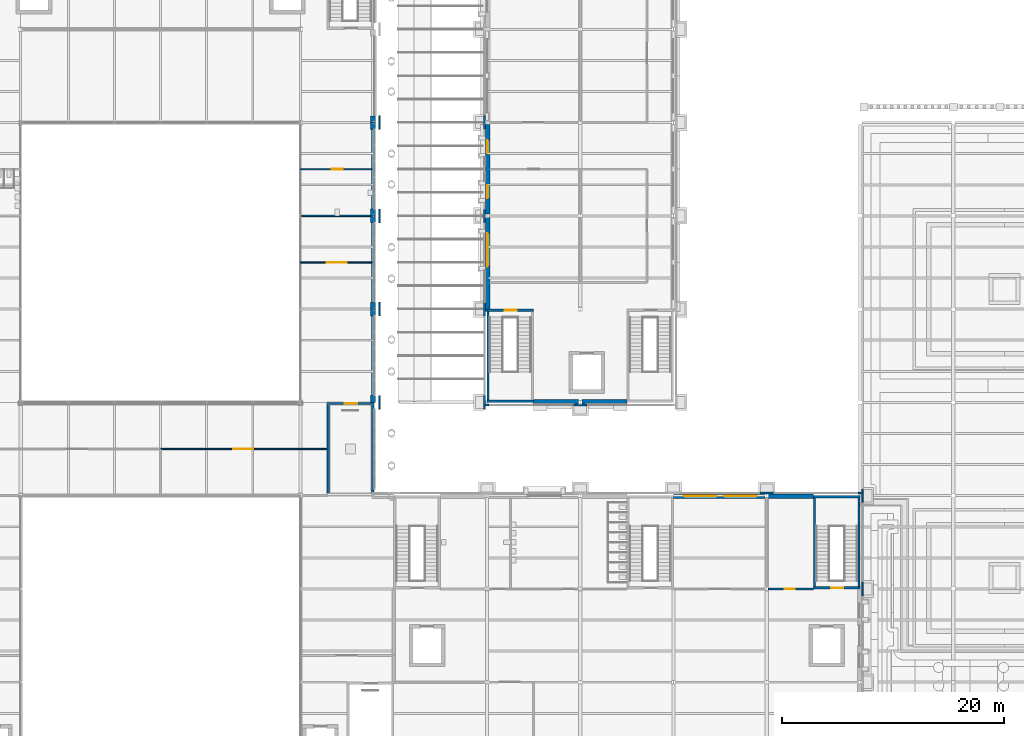
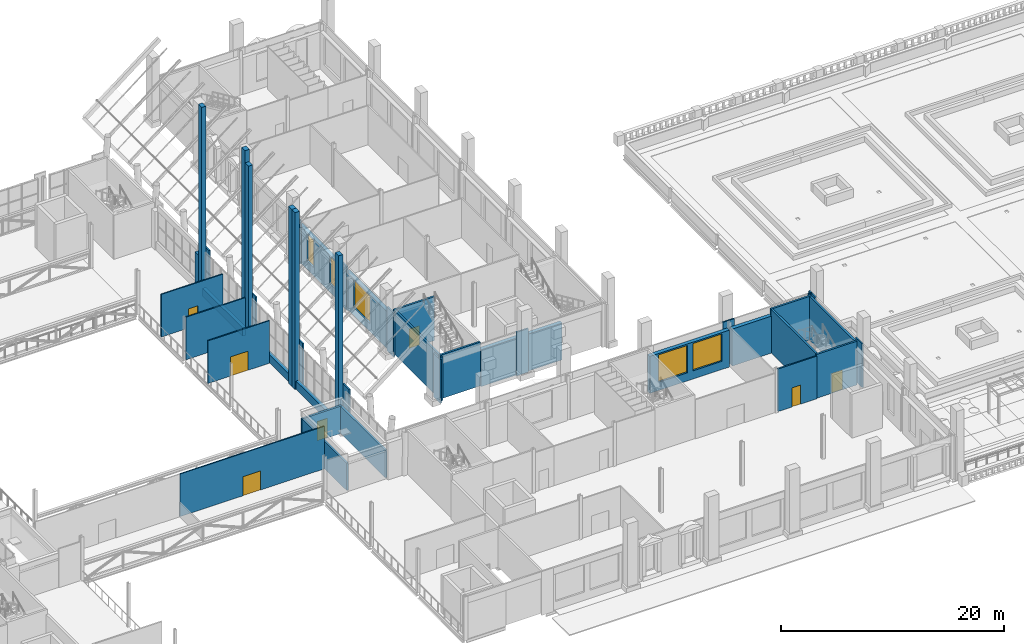
# One storey, part 53 of 76: 45 walls, 7 doors, 5 windows, 12 openings.
"""IFC4 building model written with IfcOpenShell, lengths in metres."""

from ifc_helpers import new_model, si_unit, direction, frame, frame_2d, origin, place, context, subcontext, project, spatial, rectangle, extrude, material, layer, layer_set, type_object, element, fill, save


model = new_model("IFC4")

# Units and contexts
model_context = context("Model", 3, precision=1e-05, world=origin(), true_north=direction((0.0, 1.0)))
body_context = subcontext(model_context, "Body", "Model", "MODEL_VIEW")
ifc_project = project(units=[si_unit("LENGTHUNIT", "METRE"), si_unit("AREAUNIT", "SQUARE_METRE"), si_unit("VOLUMEUNIT", "CUBIC_METRE"), si_unit("PLANEANGLEUNIT", "RADIAN"), si_unit("MASSUNIT", "GRAM", prefix="KILO")], contexts=[model_context])

# Site, building, storey
site_placement = place(None, origin())
site = spatial("IfcSite", under=ifc_project, at=site_placement, CompositionType="ELEMENT")
building_placement = place(site_placement, origin())
building = spatial("IfcBuilding", under=site, at=building_placement, Name="Sava Quay Ferry Terminal", CompositionType="ELEMENT")
storey_placement = place(building_placement, frame((0.0, 0.0, 6.0)))
storey = spatial("IfcBuildingStorey", under=building, at=storey_placement, Name="L01", CompositionType="ELEMENT", Elevation=6.0)

# Walls
ifc_material_1 = material(Name="Limestone Mutalj", Category="masonry")
ifc_layer_1 = layer(ifc_material_1, 0.35009765625)
ifc_layer_set_1 = layer_set([ifc_layer_1], Name="Limestone Mutalj")
wall_type_1 = type_object("IfcWallType", Name="Limestone kerb and parapet 350", PredefinedType="SOLIDWALL", material=ifc_layer_set_1)
wall_1_placement = place(storey_placement, frame((82.175048828125, 59.39990234375, 0.0), z_axis=(0.0, 0.0, 1.0), x_axis=(0.0, 1.0, 0.0)))
element("IfcWall", 1, at=wall_1_placement, inside=storey, type_object=wall_type_1, Name="External wall D", PredefinedType="SOLIDWALL", context=body_context, shape_type="SweptSolid", body=[
    extrude(rectangle(XDim=7.2001953125, YDim=0.35009765625, at=frame_2d((3.60009765625, 0.0))), origin(), (0.0, 0.0, 1.0), 0.89990234375),
])
for number, where, z_axis, x_axis, name in (
    (2, (82.175048828125, 67.800048828125, 0.0), (0.0, 0.0, 1.0), (0.0, 1.0, 0.0), "External wall D"),
    (3, (82.175048828125, 76.199951171875, 0.0), (0.0, 0.0, 1.0), (0.0, 1.0, 0.0), "External wall D"),
):
    element("IfcWall", number, at=place(storey_placement, frame(where, z_axis=z_axis, x_axis=x_axis)), inside=storey, type_object=wall_type_1, Name=name, PredefinedType="SOLIDWALL", context=body_context, shape_type="SweptSolid", body=[
        extrude(rectangle(XDim=7.199951171875, YDim=0.35009765625, at=frame_2d((3.60009765625, 0.0))), origin(), (0.0, 0.0, 1.0), 0.89990234375),
    ])
ifc_material_2 = material(Name="Limestone Mutalj", Category="masonry")
ifc_layer_2 = layer(ifc_material_2, 0.14990234375)
ifc_layer_set_2 = layer_set([ifc_layer_2], Name="Limestone Mutalj")
wall_type_2 = type_object("IfcWallType", Name="Pier cladding 150", PredefinedType="SOLIDWALL", material=ifc_layer_set_2)
wall_2_placement = place(storey_placement, frame((117.0, 50.635009765625, 0.0), z_axis=(0.0, 0.0, 1.0), x_axis=(1.0, 0.0, 0.0)))
element("IfcWall", 4, at=wall_2_placement, inside=storey, type_object=wall_type_2, Name="Pier P-N grid 117.6", PredefinedType="SOLIDWALL", context=body_context, shape_type="SweptSolid", body=[
    extrude(rectangle(XDim=1.199951171875, YDim=0.14990234375, at=frame_2d((0.60009765625, 0.0))), origin(), (0.0, 0.0, 1.0), 4.800048828125),
])
wall_3_placement = place(storey_placement, frame((125.85009765625, 50.635009765625, 0.0), z_axis=(0.0, 0.0, 1.0), x_axis=(1.0, 0.0, 0.0)))
element("IfcWall", 5, at=wall_3_placement, inside=storey, type_object=wall_type_2, Name="Pier P-N grid 126", PredefinedType="SOLIDWALL", context=body_context, shape_type="SweptSolid", body=[
    extrude(rectangle(XDim=0.449951171875, YDim=0.14990234375, at=frame_2d((0.22509765625, 0.0))), origin(), (0.0, 0.0, 1.0), 4.800048828125),
])
wall_4_placement = place(storey_placement, frame((126.22509765625, 41.39990234375, 0.0), z_axis=(0.0, 0.0, 1.0), x_axis=(0.0, 1.0, 0.0)))
element("IfcWall", 6, at=wall_4_placement, inside=storey, type_object=wall_type_2, Name="Pier P-E grid 42", PredefinedType="SOLIDWALL", context=body_context, shape_type="SweptSolid", body=[
    extrude(rectangle(XDim=1.2001953125, YDim=0.14990234375, at=frame_2d((0.60009765625, 0.0))), origin(), (0.0, 0.0, 1.0), 4.800048828125),
])
wall_5_placement = place(storey_placement, frame((126.22509765625, 49.800048828125, 0.0), z_axis=(0.0, 0.0, 1.0), x_axis=(0.0, 1.0, 0.0)))
element("IfcWall", 7, at=wall_5_placement, inside=storey, type_object=wall_type_2, Name="Pier P-E grid 50.4", PredefinedType="SOLIDWALL", context=body_context, shape_type="SweptSolid", body=[
    extrude(rectangle(XDim=1.199951171875, YDim=0.14990234375, at=frame_2d((0.60009765625, 0.0))), origin(), (0.0, 0.0, 1.0), 4.800048828125),
])
wall_6_placement = place(storey_placement, frame((92.10009765625, 58.56494140625, 0.0), z_axis=(0.0, 0.0, 1.0), x_axis=(1.0, 0.0, 0.0)))
element("IfcWall", 8, at=wall_6_placement, inside=storey, type_object=wall_type_2, Name="Pier O-S grid 92.4", PredefinedType="SOLIDWALL", context=body_context, shape_type="SweptSolid", body=[
    extrude(rectangle(XDim=0.449951171875, YDim=0.14990234375, at=frame_2d((0.22509765625, 0.0))), origin(), (0.0, 0.0, 1.0), 4.800048828125),
])
for number, where, z_axis, x_axis, name in (
    (9, (100.199951171875, 58.56494140625, 0.0), (0.0, 0.0, 1.0), (1.0, 0.0, 0.0), "Pier O-S grid 100.8"),
    (10, (92.175048828125, 58.199951171875, 0.0), (0.0, 0.0, 1.0), (0.0, 1.0, 0.0), "Pier O-W grid 58.8"),
    (11, (92.175048828125, 66.60009765625, 0.0), (0.0, 0.0, 1.0), (0.0, 1.0, 0.0), "Pier O-W grid 67.2"),
    (12, (92.175048828125, 75.0, 0.0), (0.0, 0.0, 1.0), (0.0, 1.0, 0.0), "Pier O-W grid 75.6"),
):
    element("IfcWall", number, at=place(storey_placement, frame(where, z_axis=z_axis, x_axis=x_axis)), inside=storey, type_object=wall_type_2, Name=name, PredefinedType="SOLIDWALL", context=body_context, shape_type="SweptSolid", body=[
        extrude(rectangle(XDim=1.199951171875, YDim=0.14990234375, at=frame_2d((0.60009765625, 0.0))), origin(), (0.0, 0.0, 1.0), 4.800048828125),
    ])
wall_7_placement = place(storey_placement, frame((92.175048828125, 83.39990234375, 0.0), z_axis=(0.0, 0.0, 1.0), x_axis=(0.0, 1.0, 0.0)))
element("IfcWall", 13, at=wall_7_placement, inside=storey, type_object=wall_type_2, Name="Pier O-W grid 84", PredefinedType="SOLIDWALL", context=body_context, shape_type="SweptSolid", body=[
    extrude(rectangle(XDim=1.2001953125, YDim=0.14990234375, at=frame_2d((0.60009765625, 0.0))), origin(), (0.0, 0.0, 1.0), 4.800048828125),
])
for number, where, z_axis, x_axis, name in (
    (14, (82.72509765625, 58.199951171875, 0.0), (0.0, 0.0, 1.0), (0.0, 1.0, 0.0), "External wall D"),
    (15, (82.72509765625, 66.60009765625, 0.0), (0.0, 0.0, 1.0), (0.0, 1.0, 0.0), "External wall D"),
    (16, (82.72509765625, 75.0, 0.0), (0.0, 0.0, 1.0), (0.0, 1.0, 0.0), "External wall D"),
):
    element("IfcWall", number, at=place(storey_placement, frame(where, z_axis=z_axis, x_axis=x_axis)), inside=storey, type_object=wall_type_2, Name=name, PredefinedType="SOLIDWALL", context=body_context, shape_type="SweptSolid", body=[
        extrude(rectangle(XDim=1.199951171875, YDim=0.14990234375, at=frame_2d((0.60009765625, 0.0))), origin(), (0.0, 0.0, 1.0), 4.800048828125),
    ])
wall_8_placement = place(storey_placement, frame((82.72509765625, 83.39990234375, 0.0), z_axis=(0.0, 0.0, 1.0), x_axis=(0.0, 1.0, 0.0)))
element("IfcWall", 17, at=wall_8_placement, inside=storey, type_object=wall_type_2, Name="External wall D", PredefinedType="SOLIDWALL", context=body_context, shape_type="SweptSolid", body=[
    extrude(rectangle(XDim=1.2001953125, YDim=0.14990234375, at=frame_2d((0.60009765625, 0.0))), origin(), (0.0, 0.0, 1.0), 4.800048828125),
])

# Wall, opening, door
ifc_material_3 = material(Name="Masonry blockwork", Category="masonry")
ifc_layer_3 = layer(ifc_material_3, 0.14990234375)
ifc_layer_set_3 = layer_set([ifc_layer_3], Name="Masonry blockwork")
wall_type_3 = type_object("IfcWallType", Name="Plant, store and lobby wall, blockwork 150", PredefinedType="PARTITIONING", material=ifc_layer_set_3)
wall_9_placement = place(storey_placement, frame((117.75, 42.0, 0.0), z_axis=(0.0, 0.0, 1.0), x_axis=(1.0, 0.0, 0.0)))
wall_9 = element("IfcWall", 18, at=wall_9_placement, inside=storey, type_object=wall_type_3, Name="Plant, store and lobby wall, blockwork 150", PredefinedType="PARTITIONING", context=body_context, shape_type="SweptSolid", body=[
    extrude(rectangle(XDim=4.050048828125, YDim=0.14990234375, at=frame_2d((2.02490234375, 0.0))), origin(), (0.0, 0.0, 1.0), 4.669921875),
])
opening_1_placement = place(wall_9_placement, frame((1.449951171875, 0.0, 0.0)))
opening_1 = element("IfcOpeningElement", 19, at=opening_1_placement, cuts=wall_9, Name="Opening D0116", PredefinedType="OPENING", context=body_context, shape_type="SweptSolid", body=[
    extrude(rectangle(XDim=0.89990234375, YDim=2.10009765625, at=frame_2d((0.449951171875, 1.050048828125))), frame((0.0, 0.074951171875, 0.0), z_axis=(0.0, -1.0, 0.0), x_axis=(1.0, 0.0, 0.0)), (0.0, 0.0, 1.0), 0.14990234375),
])
ifc_material_4 = material(Name="Timber door set", Category="wood")
door_type_1 = type_object("IfcDoorType", Name="Single door 900 x 2100", OperationType="NOTDEFINED", PredefinedType="DOOR", material=ifc_material_4)
door_1_placement = place(opening_1_placement, origin())
door_1 = element("IfcDoor", 20, at=door_1_placement, inside=storey, type_object=door_type_1, Name="Door D0116", OperationType="SINGLE_SWING_LEFT", OverallHeight=2.10009765625, OverallWidth=0.89990234375, PredefinedType="DOOR", context=body_context, shape_type="SweptSolid", body=[
    extrude(rectangle(XDim=0.89990234375, YDim=2.10009765625, at=frame_2d((0.449951171875, 1.050048828125))), frame((0.0, 0.02490234375, 0.0), z_axis=(0.0, -1.0, 0.0), x_axis=(1.0, 0.0, 0.0)), (0.0, 0.0, 1.0), 0.050048828125),
])
fill(opening_1, door_1)

ifc_material_5 = material(Name="Concrete C35/45", Category="concrete")
ifc_layer_4 = layer(ifc_material_5, 0.199951171875)
ifc_layer_set_4 = layer_set([ifc_layer_4], Name="Concrete C35/45")
wall_type_4 = type_object("IfcWallType", Name="RC core wall 200", PredefinedType="SHEAR", material=ifc_layer_set_4)
wall_10_placement = place(storey_placement, frame((78.0, 58.699951171875, 0.0), z_axis=(0.0, 0.0, 1.0), x_axis=(1.0, 0.0, 0.0)))
wall_10 = element("IfcWall", 21, at=wall_10_placement, inside=storey, type_object=wall_type_4, Name="Core wall ST-D2 N L01", PredefinedType="SHEAR", context=body_context, shape_type="SweptSolid", body=[
    extrude(rectangle(XDim=4.199951171875, YDim=0.199951171875, at=frame_2d((2.10009765625, 0.0))), origin(), (0.0, 0.0, 1.0), 3.0),
])
opening_2_placement = place(wall_10_placement, frame((1.60009765625, 0.0, 0.0)))
opening_2 = element("IfcOpeningElement", 22, at=opening_2_placement, cuts=wall_10, Name="Opening DS0107", PredefinedType="OPENING", context=body_context, shape_type="SweptSolid", body=[
    extrude(rectangle(XDim=1.10009765625, YDim=2.10009765625, at=frame_2d((0.550048828125, 1.050048828125))), frame((0.0, 0.10009765625, 0.0), z_axis=(0.0, -1.0, 0.0), x_axis=(1.0, 0.0, 0.0)), (0.0, 0.0, 1.0), 0.199951171875),
])
ifc_material_6 = material(Name="Steel fire door set", Category="steel")
door_type_2 = type_object("IfcDoorType", Name="Stair fire door 1100 x 2100", OperationType="NOTDEFINED", PredefinedType="DOOR", material=ifc_material_6)
door_2_placement = place(opening_2_placement, origin())
door_2 = element("IfcDoor", 23, at=door_2_placement, inside=storey, type_object=door_type_2, Name="Door DS0107", OperationType="SINGLE_SWING_RIGHT", OverallHeight=2.10009765625, OverallWidth=1.10009765625, PredefinedType="DOOR", context=body_context, shape_type="SweptSolid", body=[
    extrude(rectangle(XDim=1.10009765625, YDim=2.10009765625, at=frame_2d((0.550048828125, 1.050048828125))), frame((0.0, 0.02490234375, 0.0), z_axis=(0.0, -1.0, 0.0), x_axis=(1.0, 0.0, 0.0)), (0.0, 0.0, 1.0), 0.050048828125),
])
fill(opening_2, door_2)

# Walls
for number, where, z_axis, x_axis, name in (
    (24, (78.10009765625, 50.60009765625, 0.0), (0.0, 0.0, 1.0), (0.0, 1.0, 0.0), "Core wall ST-D2 W L01"),
    (25, (82.10009765625, 50.60009765625, 0.0), (0.0, 0.0, 1.0), (0.0, 1.0, 0.0), "Core wall ST-D2 E L01"),
):
    element("IfcWall", number, at=place(storey_placement, frame(where, z_axis=z_axis, x_axis=x_axis)), inside=storey, type_object=wall_type_4, Name=name, PredefinedType="SHEAR", context=body_context, shape_type="SweptSolid", body=[
        extrude(rectangle(XDim=8.0, YDim=0.199951171875, at=frame_2d((4.0, 0.0))), origin(), (0.0, 0.0, 1.0), 3.0),
    ])
wall_11_placement = place(storey_placement, frame((92.39990234375, 58.89990234375, 0.0), z_axis=(0.0, 0.0, 1.0), x_axis=(1.0, 0.0, 0.0)))
element("IfcWall", 26, at=wall_11_placement, inside=storey, type_object=wall_type_4, Name="Core wall ST-O1 S L01", PredefinedType="SHEAR", context=body_context, shape_type="SweptSolid", body=[
    extrude(rectangle(XDim=4.2001953125, YDim=0.199951171875, at=frame_2d((2.10009765625, 0.0))), origin(), (0.0, 0.0, 1.0), 4.800048828125),
])

# Wall, opening, door
wall_12_placement = place(storey_placement, frame((92.39990234375, 67.10009765625, 0.0), z_axis=(0.0, 0.0, 1.0), x_axis=(1.0, 0.0, 0.0)))
wall_12 = element("IfcWall", 27, at=wall_12_placement, inside=storey, type_object=wall_type_4, Name="Core wall ST-O1 N L01", PredefinedType="SHEAR", context=body_context, shape_type="SweptSolid", body=[
    extrude(rectangle(XDim=4.2001953125, YDim=0.199951171875, at=frame_2d((2.10009765625, 0.0))), origin(), (0.0, 0.0, 1.0), 4.800048828125),
])
opening_3_placement = place(wall_12_placement, frame((1.60009765625, 0.0, 0.0)))
opening_3 = element("IfcOpeningElement", 28, at=opening_3_placement, cuts=wall_12, Name="Opening DS0113", PredefinedType="OPENING", context=body_context, shape_type="SweptSolid", body=[
    extrude(rectangle(XDim=1.10009765625, YDim=2.10009765625, at=frame_2d((0.550048828125, 1.050048828125))), frame((0.0, 0.10009765625, 0.0), z_axis=(0.0, -1.0, 0.0), x_axis=(1.0, 0.0, 0.0)), (0.0, 0.0, 1.0), 0.199951171875),
])
door_3_placement = place(opening_3_placement, origin())
door_3 = element("IfcDoor", 29, at=door_3_placement, inside=storey, type_object=door_type_2, Name="Door DS0113", OperationType="SINGLE_SWING_RIGHT", OverallHeight=2.10009765625, OverallWidth=1.10009765625, PredefinedType="DOOR", context=body_context, shape_type="SweptSolid", body=[
    extrude(rectangle(XDim=1.10009765625, YDim=2.10009765625, at=frame_2d((0.550048828125, 1.050048828125))), frame((0.0, 0.02490234375, 0.0), z_axis=(0.0, -1.0, 0.0), x_axis=(1.0, 0.0, 0.0)), (0.0, 0.0, 1.0), 0.050048828125),
])
fill(opening_3, door_3)

# Wall
wall_13_placement = place(storey_placement, frame((92.5, 59.0, 0.0), z_axis=(0.0, 0.0, 1.0), x_axis=(0.0, 1.0, 0.0)))
element("IfcWall", 30, at=wall_13_placement, inside=storey, type_object=wall_type_4, Name="Core wall ST-O1 W L01", PredefinedType="SHEAR", context=body_context, shape_type="SweptSolid", body=[
    extrude(rectangle(XDim=8.0, YDim=0.199951171875, at=frame_2d((4.0, 0.0))), origin(), (0.0, 0.0, 1.0), 4.800048828125),
])

# Wall, opening, door
wall_14_placement = place(storey_placement, frame((121.800048828125, 42.10009765625, 0.0), z_axis=(0.0, 0.0, 1.0), x_axis=(1.0, 0.0, 0.0)))
wall_14 = element("IfcWall", 31, at=wall_14_placement, inside=storey, type_object=wall_type_4, Name="Core wall ST-P2 S L01", PredefinedType="SHEAR", context=body_context, shape_type="SweptSolid", body=[
    extrude(rectangle(XDim=4.199951171875, YDim=0.199951171875, at=frame_2d((2.10009765625, 0.0))), origin(), (0.0, 0.0, 1.0), 4.800048828125),
])
opening_4_placement = place(wall_14_placement, frame((1.60009765625, 0.0, 0.0)))
opening_4 = element("IfcOpeningElement", 32, at=opening_4_placement, cuts=wall_14, Name="Opening DS0112", PredefinedType="OPENING", context=body_context, shape_type="SweptSolid", body=[
    extrude(rectangle(XDim=1.10009765625, YDim=2.10009765625, at=frame_2d((0.550048828125, 1.050048828125))), frame((0.0, 0.10009765625, 0.0), z_axis=(0.0, -1.0, 0.0), x_axis=(1.0, 0.0, 0.0)), (0.0, 0.0, 1.0), 0.199951171875),
])
door_4_placement = place(opening_4_placement, origin())
door_4 = element("IfcDoor", 33, at=door_4_placement, inside=storey, type_object=door_type_2, Name="Door DS0112", OperationType="SINGLE_SWING_RIGHT", OverallHeight=2.10009765625, OverallWidth=1.10009765625, PredefinedType="DOOR", context=body_context, shape_type="SweptSolid", body=[
    extrude(rectangle(XDim=1.10009765625, YDim=2.10009765625, at=frame_2d((0.550048828125, 1.050048828125))), frame((0.0, 0.02490234375, 0.0), z_axis=(0.0, -1.0, 0.0), x_axis=(1.0, 0.0, 0.0)), (0.0, 0.0, 1.0), 0.050048828125),
])
fill(opening_4, door_4)

# Walls
wall_15_placement = place(storey_placement, frame((121.800048828125, 50.300048828125, 0.0), z_axis=(0.0, 0.0, 1.0), x_axis=(1.0, 0.0, 0.0)))
element("IfcWall", 34, at=wall_15_placement, inside=storey, type_object=wall_type_4, Name="Core wall ST-P2 N L01", PredefinedType="SHEAR", context=body_context, shape_type="SweptSolid", body=[
    extrude(rectangle(XDim=4.199951171875, YDim=0.199951171875, at=frame_2d((2.10009765625, 0.0))), origin(), (0.0, 0.0, 1.0), 4.800048828125),
])
for number, where, z_axis, x_axis, name in (
    (35, (121.89990234375, 42.199951171875, 0.0), (0.0, 0.0, 1.0), (0.0, 1.0, 0.0), "Core wall ST-P2 W L01"),
    (36, (125.89990234375, 42.199951171875, 0.0), (0.0, 0.0, 1.0), (0.0, 1.0, 0.0), "Core wall ST-P2 E L01"),
):
    element("IfcWall", number, at=place(storey_placement, frame(where, z_axis=z_axis, x_axis=x_axis)), inside=storey, type_object=wall_type_4, Name=name, PredefinedType="SHEAR", context=body_context, shape_type="SweptSolid", body=[
        extrude(rectangle(XDim=8.0, YDim=0.199951171875, at=frame_2d((4.0, 0.0))), origin(), (0.0, 0.0, 1.0), 4.800048828125),
    ])

# Wall, opening, door
ifc_material_7 = material(Name="Plasterboard on steel studs", Category="steel")
ifc_layer_5 = layer(ifc_material_7, 0.125)
ifc_layer_set_5 = layer_set([ifc_layer_5], Name="Plasterboard on steel studs")
wall_type_5 = type_object("IfcWallType", Name="Room partition, plasterboard on steel studs 125", PredefinedType="PARTITIONING", material=ifc_layer_set_5)
wall_16_placement = place(storey_placement, frame((63.0, 54.60009765625, 0.0), z_axis=(0.0, 0.0, 1.0), x_axis=(1.0, 0.0, 0.0)))
wall_16 = element("IfcWall", 37, at=wall_16_placement, inside=storey, type_object=wall_type_5, Name="Room partition, plasterboard on steel studs 125", PredefinedType="PARTITIONING", context=body_context, shape_type="SweptSolid", body=[
    extrude(rectangle(XDim=15.0, YDim=0.125, at=frame_2d((7.5, 0.0))), origin(), (0.0, 0.0, 1.0), 4.669921875),
])
opening_5_placement = place(wall_16_placement, frame((6.550048828125, 0.0, 0.0)))
opening_5 = element("IfcOpeningElement", 38, at=opening_5_placement, cuts=wall_16, Name="Opening D0118", PredefinedType="OPENING", context=body_context, shape_type="SweptSolid", body=[
    extrude(rectangle(XDim=1.800048828125, YDim=2.10009765625, at=frame_2d((0.89990234375, 1.050048828125))), frame((0.0, 0.0625, 0.0), z_axis=(0.0, -1.0, 0.0), x_axis=(1.0, 0.0, 0.0)), (0.0, 0.0, 1.0), 0.125),
])
ifc_material_8 = material(Name="Timber door set", Category="wood")
door_type_3 = type_object("IfcDoorType", Name="Double door 1800 x 2100", OperationType="NOTDEFINED", PredefinedType="DOOR", material=ifc_material_8)
door_5_placement = place(opening_5_placement, origin())
door_5 = element("IfcDoor", 39, at=door_5_placement, inside=storey, type_object=door_type_3, Name="Door D0118", OperationType="DOUBLE_DOOR_DOUBLE_SWING", OverallHeight=2.10009765625, OverallWidth=1.800048828125, PredefinedType="DOOR", context=body_context, shape_type="SweptSolid", body=[
    extrude(rectangle(XDim=1.800048828125, YDim=2.10009765625, at=frame_2d((0.89990234375, 1.050048828125))), frame((0.0, 0.02490234375, 0.0), z_axis=(0.0, -1.0, 0.0), x_axis=(1.0, 0.0, 0.0)), (0.0, 0.0, 1.0), 0.050048828125),
])
fill(opening_5, door_5)

wall_17_placement = place(storey_placement, frame((75.60009765625, 71.39990234375, 0.0), z_axis=(0.0, 0.0, 1.0), x_axis=(1.0, 0.0, 0.0)))
wall_17 = element("IfcWall", 40, at=wall_17_placement, inside=storey, type_object=wall_type_5, Name="Room partition, plasterboard on steel studs 125", PredefinedType="PARTITIONING", context=body_context, shape_type="SweptSolid", body=[
    extrude(rectangle(XDim=6.3994140625, YDim=0.125, at=frame_2d((3.19970703125, 0.0))), origin(), (0.0, 0.0, 1.0), 4.669921875),
])
opening_6_placement = place(wall_17_placement, frame((2.35009765625, 0.0, 0.0)))
opening_6 = element("IfcOpeningElement", 41, at=opening_6_placement, cuts=wall_17, Name="Opening D0120", PredefinedType="OPENING", context=body_context, shape_type="SweptSolid", body=[
    extrude(rectangle(XDim=1.800048828125, YDim=2.10009765625, at=frame_2d((0.89990234375, 1.050048828125))), frame((0.0, 0.0625, 0.0), z_axis=(0.0, -1.0, 0.0), x_axis=(1.0, 0.0, 0.0)), (0.0, 0.0, 1.0), 0.125),
])
door_6_placement = place(opening_6_placement, origin())
door_6 = element("IfcDoor", 42, at=door_6_placement, inside=storey, type_object=door_type_3, Name="Door D0120", OperationType="DOUBLE_DOOR_DOUBLE_SWING", OverallHeight=2.10009765625, OverallWidth=1.800048828125, PredefinedType="DOOR", context=body_context, shape_type="SweptSolid", body=[
    extrude(rectangle(XDim=1.800048828125, YDim=2.10009765625, at=frame_2d((0.89990234375, 1.050048828125))), frame((0.0, 0.02490234375, 0.0), z_axis=(0.0, -1.0, 0.0), x_axis=(1.0, 0.0, 0.0)), (0.0, 0.0, 1.0), 0.050048828125),
])
fill(opening_6, door_6)

# Walls
ifc_material_9 = material(Name="Limestone Mutalj", Category="masonry")
ifc_layer_6 = layer(ifc_material_9, 0.449951171875)
ifc_layer_set_6 = layer_set([ifc_layer_6], Name="Limestone Mutalj")
wall_type_6 = type_object("IfcWallType", Name="Rusticated limestone infill 450", PredefinedType="SOLIDWALL", material=ifc_layer_set_6)
for number, where, z_axis, x_axis, name in (
    (43, (82.125, 58.800048828125, 0.0), (0.0, 0.0, 1.0), (0.0, 1.0, 0.0), "External wall D"),
    (44, (82.125, 66.60009765625, 0.0), (0.0, 0.0, 1.0), (0.0, 1.0, 0.0), "External wall D"),
):
    element("IfcWall", number, at=place(storey_placement, frame(where, z_axis=z_axis, x_axis=x_axis)), inside=storey, type_object=wall_type_6, Name=name, PredefinedType="SOLIDWALL", context=body_context, shape_type="SweptSolid", body=[
        extrude(rectangle(XDim=0.599853515625, YDim=0.449951171875, at=frame_2d((0.2998046875, 0.0))), origin(), (0.0, 0.0, 1.0), 19.39990234375),
    ])
for number, where, z_axis, x_axis, name in (
    (45, (82.125, 67.199951171875, 0.0), (0.0, 0.0, 1.0), (0.0, 1.0, 0.0), "External wall D"),
    (46, (82.125, 75.0, 0.0), (0.0, 0.0, 1.0), (0.0, 1.0, 0.0), "External wall D"),
):
    element("IfcWall", number, at=place(storey_placement, frame(where, z_axis=z_axis, x_axis=x_axis)), inside=storey, type_object=wall_type_6, Name=name, PredefinedType="SOLIDWALL", context=body_context, shape_type="SweptSolid", body=[
        extrude(rectangle(XDim=0.60009765625, YDim=0.449951171875, at=frame_2d((0.300048828125, 0.0))), origin(), (0.0, 0.0, 1.0), 19.39990234375),
    ])
wall_18_placement = place(storey_placement, frame((82.125, 75.60009765625, 0.0), z_axis=(0.0, 0.0, 1.0), x_axis=(0.0, 1.0, 0.0)))
element("IfcWall", 47, at=wall_18_placement, inside=storey, type_object=wall_type_6, Name="External wall D", PredefinedType="SOLIDWALL", context=body_context, shape_type="SweptSolid", body=[
    extrude(rectangle(XDim=0.599853515625, YDim=0.449951171875, at=frame_2d((0.2998046875, 0.0))), origin(), (0.0, 0.0, 1.0), 20.75),
])
wall_19_placement = place(storey_placement, frame((82.125, 83.39990234375, 0.0), z_axis=(0.0, 0.0, 1.0), x_axis=(0.0, 1.0, 0.0)))
element("IfcWall", 48, at=wall_19_placement, inside=storey, type_object=wall_type_6, Name="External wall D", PredefinedType="SOLIDWALL", context=body_context, shape_type="SweptSolid", body=[
    extrude(rectangle(XDim=0.60009765625, YDim=0.449951171875, at=frame_2d((0.300048828125, 0.0))), origin(), (0.0, 0.0, 1.0), 20.75),
])
wall_20_placement = place(storey_placement, frame((82.125, 84.0, 0.0), z_axis=(0.0, 0.0, 1.0), x_axis=(0.0, 1.0, 0.0)))
element("IfcWall", 49, at=wall_20_placement, inside=storey, type_object=wall_type_6, Name="External wall D", PredefinedType="SOLIDWALL", context=body_context, shape_type="SweptSolid", body=[
    extrude(rectangle(XDim=0.60009765625, YDim=0.449951171875, at=frame_2d((0.300048828125, 0.0))), origin(), (0.0, 0.0, 1.0), 4.199951171875),
])

# Wall, openings, windows
ifc_material_10 = material(Name="Sandstone Bela Voda", Category="masonry")
ifc_layer_7 = layer(ifc_material_10, 0.39990234375)
ifc_layer_set_7 = layer_set([ifc_layer_7], Name="Sandstone Bela Voda")
wall_type_7 = type_object("IfcWallType", Name="Sandstone ashlar infill 400", PredefinedType="SOLIDWALL", material=ifc_layer_set_7)
wall_21_placement = place(storey_placement, frame((109.199951171875, 50.360107421875, 0.0), z_axis=(0.0, 0.0, 1.0), x_axis=(1.0, 0.0, 0.0)))
wall_21 = element("IfcWall", 50, at=wall_21_placement, inside=storey, type_object=wall_type_7, Name="External wall P-N", PredefinedType="SOLIDWALL", context=body_context, shape_type="SweptSolid", body=[
    extrude(rectangle(XDim=8.25, YDim=0.39990234375, at=frame_2d((4.125, 0.0))), origin(), (0.0, 0.0, 1.0), 4.050048828125),
])
opening_7_placement = place(wall_21_placement, frame((0.89990234375, 0.0, 0.89990234375)))
opening_7 = element("IfcOpeningElement", 51, at=opening_7_placement, cuts=wall_21, Name="Opening W-B", PredefinedType="OPENING", context=body_context, shape_type="SweptSolid", body=[
    extrude(rectangle(XDim=3.0, YDim=3.0, at=frame_2d((1.5, 1.5))), frame((0.0, 0.199951171875, 0.0), z_axis=(0.0, -1.0, 0.0), x_axis=(1.0, 0.0, 0.0)), (0.0, 0.0, 1.0), 0.39990234375),
])
opening_8_placement = place(wall_21_placement, frame((4.5, 0.0, 0.89990234375)))
opening_8 = element("IfcOpeningElement", 52, at=opening_8_placement, cuts=wall_21, Name="Opening W-B", PredefinedType="OPENING", context=body_context, shape_type="SweptSolid", body=[
    extrude(rectangle(XDim=3.0, YDim=3.0, at=frame_2d((1.5, 1.5))), frame((0.0, 0.199951171875, 0.0), z_axis=(0.0, -1.0, 0.0), x_axis=(1.0, 0.0, 0.0)), (0.0, 0.0, 1.0), 0.39990234375),
])
ifc_material_11 = material(Name="Aluminium bronze anodised frame, glazing double low-e Ug 1.1", Category="aluminium")
window_type_1 = type_object("IfcWindowType", Name="Upper ordered window 3000x3000", PartitioningType="SINGLE_PANEL", PredefinedType="WINDOW", material=ifc_material_11)
window_1_placement = place(opening_7_placement, origin())
window_1 = element("IfcWindow", 53, at=window_1_placement, inside=storey, type_object=window_type_1, Name="Window W-B", OverallHeight=3.0, OverallWidth=3.0, PartitioningType="SINGLE_PANEL", PredefinedType="WINDOW", context=body_context, shape_type="SweptSolid", body=[
    extrude(rectangle(XDim=3.0, YDim=3.0, at=frame_2d((1.5, 1.5))), frame((0.0, 0.030029296875, 0.0), z_axis=(0.0, -1.0, 0.0), x_axis=(1.0, 0.0, 0.0)), (0.0, 0.0, 1.0), 0.06005859375),
])
fill(opening_7, window_1)
window_2_placement = place(opening_8_placement, origin())
window_2 = element("IfcWindow", 54, at=window_2_placement, inside=storey, type_object=window_type_1, Name="Window W-B", OverallHeight=3.0, OverallWidth=3.0, PartitioningType="SINGLE_PANEL", PredefinedType="WINDOW", context=body_context, shape_type="SweptSolid", body=[
    extrude(rectangle(XDim=3.0, YDim=3.0, at=frame_2d((1.5, 1.5))), frame((0.0, 0.030029296875, 0.0), z_axis=(0.0, -1.0, 0.0), x_axis=(1.0, 0.0, 0.0)), (0.0, 0.0, 1.0), 0.06005859375),
])
fill(opening_8, window_2)

# Walls
wall_22_placement = place(storey_placement, frame((117.75, 50.360107421875, 0.0), z_axis=(0.0, 0.0, 1.0), x_axis=(1.0, 0.0, 0.0)))
element("IfcWall", 55, at=wall_22_placement, inside=storey, type_object=wall_type_7, Name="External wall P-N", PredefinedType="SOLIDWALL", context=body_context, shape_type="SweptSolid", body=[
    extrude(rectangle(XDim=4.050048828125, YDim=0.39990234375, at=frame_2d((2.02490234375, 0.0))), origin(), (0.0, 0.0, 1.0), 4.050048828125),
])
wall_23_placement = place(storey_placement, frame((96.60009765625, 58.840087890625, 0.0), z_axis=(0.0, 0.0, 1.0), x_axis=(1.0, 0.0, 0.0)))
element("IfcWall", 56, at=wall_23_placement, inside=storey, type_object=wall_type_7, Name="External wall O-S", PredefinedType="SOLIDWALL", context=body_context, shape_type="SweptSolid", body=[
    extrude(rectangle(XDim=4.0498046875, YDim=0.39990234375, at=frame_2d((2.02490234375, 0.0))), origin(), (0.0, 0.0, 1.0), 4.050048828125),
])
wall_24_placement = place(storey_placement, frame((100.949951171875, 58.840087890625, 0.0), z_axis=(0.0, 0.0, 1.0), x_axis=(1.0, 0.0, 0.0)))
element("IfcWall", 57, at=wall_24_placement, inside=storey, type_object=wall_type_7, Name="External wall O-S", PredefinedType="SOLIDWALL", context=body_context, shape_type="SweptSolid", body=[
    extrude(rectangle(XDim=4.050048828125, YDim=0.39990234375, at=frame_2d((2.02490234375, 0.0))), origin(), (0.0, 0.0, 1.0), 4.050048828125),
])

# Wall, opening, window
wall_25_placement = place(storey_placement, frame((92.449951171875, 67.0, 0.0), z_axis=(0.0, 0.0, 1.0), x_axis=(0.0, 1.0, 0.0)))
wall_25 = element("IfcWall", 58, at=wall_25_placement, inside=storey, type_object=wall_type_7, Name="External wall O-W", PredefinedType="SOLIDWALL", context=body_context, shape_type="SweptSolid", body=[
    extrude(rectangle(XDim=8.449951171875, YDim=0.39990234375, at=frame_2d((4.22509765625, 0.0))), origin(), (0.0, 0.0, 1.0), 4.050048828125),
])
opening_9_placement = place(wall_25_placement, frame((4.03759765625, 0.0, 0.89990234375)))
opening_9 = element("IfcOpeningElement", 59, at=opening_9_placement, cuts=wall_25, Name="Opening W-B", PredefinedType="OPENING", context=body_context, shape_type="SweptSolid", body=[
    extrude(rectangle(XDim=3.0, YDim=3.0, at=frame_2d((1.5, 1.5))), frame((0.0, 0.199951171875, 0.0), z_axis=(0.0, -1.0, 0.0), x_axis=(1.0, 0.0, 0.0)), (0.0, 0.0, 1.0), 0.39990234375),
])
window_3_placement = place(opening_9_placement, origin())
window_3 = element("IfcWindow", 60, at=window_3_placement, inside=storey, type_object=window_type_1, Name="Window W-B", OverallHeight=3.0, OverallWidth=3.0, PartitioningType="SINGLE_PANEL", PredefinedType="WINDOW", context=body_context, shape_type="SweptSolid", body=[
    extrude(rectangle(XDim=3.0, YDim=3.0, at=frame_2d((1.5, 1.5))), frame((0.0, 0.030029296875, 0.0), z_axis=(0.0, -1.0, 0.0), x_axis=(1.0, 0.0, 0.0)), (0.0, 0.0, 1.0), 0.06005859375),
])
fill(opening_9, window_3)

# Wall, openings, windows
wall_26_placement = place(storey_placement, frame((92.449951171875, 75.75, 0.0), z_axis=(0.0, 0.0, 1.0), x_axis=(0.0, 1.0, 0.0)))
wall_26 = element("IfcWall", 61, at=wall_26_placement, inside=storey, type_object=wall_type_7, Name="External wall O-W", PredefinedType="SOLIDWALL", context=body_context, shape_type="SweptSolid", body=[
    extrude(rectangle(XDim=8.10009765625, YDim=0.39990234375, at=frame_2d((4.050048828125, 0.0))), origin(), (0.0, 0.0, 1.0), 4.050048828125),
])
opening_10_placement = place(wall_26_placement, frame((1.418701171875, 0.0, 0.89990234375)))
opening_10 = element("IfcOpeningElement", 62, at=opening_10_placement, cuts=wall_26, Name="Opening W-E1", PredefinedType="OPENING", context=body_context, shape_type="SweptSolid", body=[
    extrude(rectangle(XDim=1.199951171875, YDim=3.0, at=frame_2d((0.60009765625, 1.5))), frame((0.0, 0.199951171875, 0.0), z_axis=(0.0, -1.0, 0.0), x_axis=(1.0, 0.0, 0.0)), (0.0, 0.0, 1.0), 0.39990234375),
])
opening_11_placement = place(wall_26_placement, frame((5.481201171875, 0.0, 0.89990234375)))
opening_11 = element("IfcOpeningElement", 63, at=opening_11_placement, cuts=wall_26, Name="Opening W-E1", PredefinedType="OPENING", context=body_context, shape_type="SweptSolid", body=[
    extrude(rectangle(XDim=1.199951171875, YDim=3.0, at=frame_2d((0.60009765625, 1.5))), frame((0.0, 0.199951171875, 0.0), z_axis=(0.0, -1.0, 0.0), x_axis=(1.0, 0.0, 0.0)), (0.0, 0.0, 1.0), 0.39990234375),
])
ifc_material_12 = material(Name="Aluminium bronze anodised frame, glazing double low-e Ug 1.1", Category="aluminium")
window_type_2 = type_object("IfcWindowType", Name="Entrance sidelight 1200x3000", PartitioningType="SINGLE_PANEL", PredefinedType="WINDOW", material=ifc_material_12)
window_4_placement = place(opening_10_placement, origin())
window_4 = element("IfcWindow", 64, at=window_4_placement, inside=storey, type_object=window_type_2, Name="Window W-E1", OverallHeight=3.0, OverallWidth=1.199951171875, PartitioningType="SINGLE_PANEL", PredefinedType="WINDOW", context=body_context, shape_type="SweptSolid", body=[
    extrude(rectangle(XDim=1.199951171875, YDim=3.0, at=frame_2d((0.60009765625, 1.5))), frame((0.0, 0.030029296875, 0.0), z_axis=(0.0, -1.0, 0.0), x_axis=(1.0, 0.0, 0.0)), (0.0, 0.0, 1.0), 0.06005859375),
])
fill(opening_10, window_4)
window_5_placement = place(opening_11_placement, origin())
window_5 = element("IfcWindow", 65, at=window_5_placement, inside=storey, type_object=window_type_2, Name="Window W-E1", OverallHeight=3.0, OverallWidth=1.199951171875, PartitioningType="SINGLE_PANEL", PredefinedType="WINDOW", context=body_context, shape_type="SweptSolid", body=[
    extrude(rectangle(XDim=1.199951171875, YDim=3.0, at=frame_2d((0.60009765625, 1.5))), frame((0.0, 0.030029296875, 0.0), z_axis=(0.0, -1.0, 0.0), x_axis=(1.0, 0.0, 0.0)), (0.0, 0.0, 1.0), 0.06005859375),
])
fill(opening_11, window_5)

# Wall
ifc_material_13 = material(Name="Moisture-resistant board on steel studs", Category="steel")
ifc_layer_8 = layer(ifc_material_13, 0.125)
ifc_layer_set_8 = layer_set([ifc_layer_8], Name="Moisture-resistant board on steel studs")
wall_type_8 = type_object("IfcWallType", Name="Toilet partition, moisture-resistant board 125", PredefinedType="PARTITIONING", material=ifc_layer_set_8)
wall_27_placement = place(storey_placement, frame((75.719970703125, 75.60009765625, 0.0), z_axis=(0.0, 0.0, 1.0), x_axis=(1.0, 0.0, 0.0)))
element("IfcWall", 66, at=wall_27_placement, inside=storey, type_object=wall_type_8, Name="Toilet partition, moisture-resistant board 125", PredefinedType="PARTITIONING", context=body_context, shape_type="SweptSolid", body=[
    extrude(rectangle(XDim=6.179443359375, YDim=0.125, at=frame_2d((3.08984375, 0.0))), origin(), (0.0, 0.0, 1.0), 4.669921875),
])

# Wall, opening, door
wall_28_placement = place(storey_placement, frame((75.60009765625, 79.800048828125, 0.0), z_axis=(0.0, 0.0, 1.0), x_axis=(1.0, 0.0, 0.0)))
wall_28 = element("IfcWall", 67, at=wall_28_placement, inside=storey, type_object=wall_type_8, Name="Toilet partition, moisture-resistant board 125", PredefinedType="PARTITIONING", context=body_context, shape_type="SweptSolid", body=[
    extrude(rectangle(XDim=6.3994140625, YDim=0.125, at=frame_2d((3.19970703125, 0.0))), origin(), (0.0, 0.0, 1.0), 4.669921875),
])
opening_12_placement = place(wall_28_placement, frame((2.800048828125, 0.0, 0.0)))
opening_12 = element("IfcOpeningElement", 68, at=opening_12_placement, cuts=wall_28, Name="Opening D0121", PredefinedType="OPENING", context=body_context, shape_type="SweptSolid", body=[
    extrude(rectangle(XDim=1.0, YDim=2.10009765625, at=frame_2d((0.5, 1.050048828125))), frame((0.0, 0.0625, 0.0), z_axis=(0.0, -1.0, 0.0), x_axis=(1.0, 0.0, 0.0)), (0.0, 0.0, 1.0), 0.125),
])
ifc_material_14 = material(Name="Laminate door set")
door_type_4 = type_object("IfcDoorType", Name="Accessible toilet door 1000 x 2100", OperationType="NOTDEFINED", PredefinedType="DOOR", material=ifc_material_14)
door_7_placement = place(opening_12_placement, origin())
door_7 = element("IfcDoor", 69, at=door_7_placement, inside=storey, type_object=door_type_4, Name="Door D0121", OperationType="SINGLE_SWING_LEFT", OverallHeight=2.10009765625, OverallWidth=1.0, PredefinedType="DOOR", context=body_context, shape_type="SweptSolid", body=[
    extrude(rectangle(XDim=1.0, YDim=2.10009765625, at=frame_2d((0.5, 1.050048828125))), frame((0.0, 0.02490234375, 0.0), z_axis=(0.0, -1.0, 0.0), x_axis=(1.0, 0.0, 0.0)), (0.0, 0.0, 1.0), 0.050048828125),
])
fill(opening_12, door_7)

save(model, "model.ifc")
